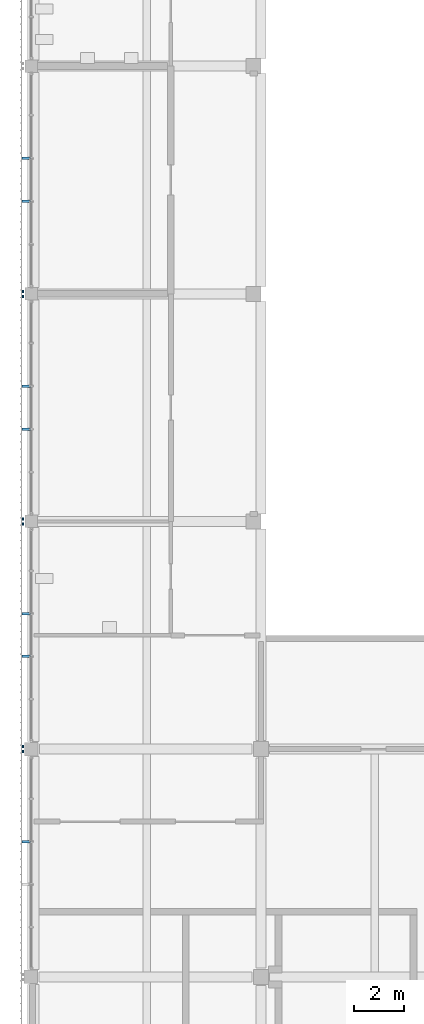
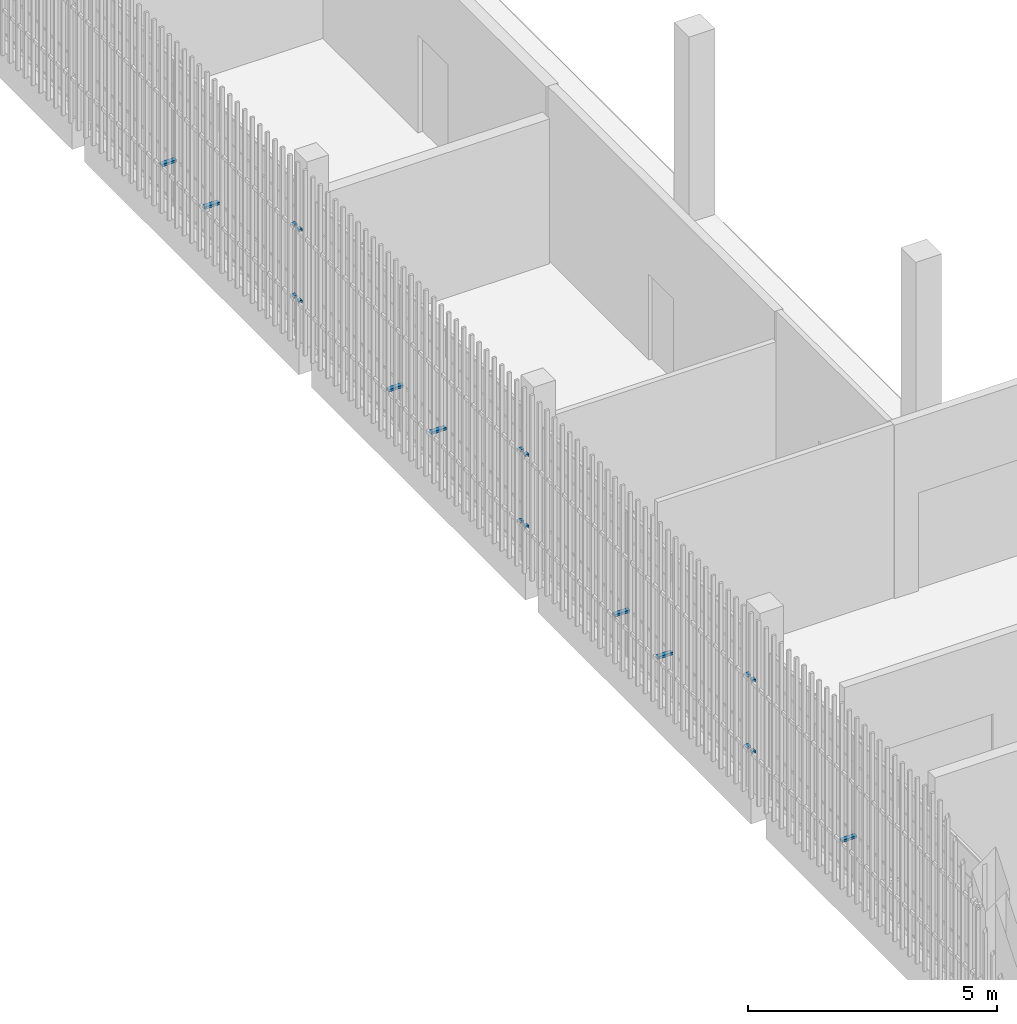
# One storey, part 90 of 124: 19 discrete accessories.
"""IFC4 building model written with IfcOpenShell, lengths in metres."""

from ifc_helpers import new_model, si_unit, direction, frame, origin, origin_2d, place, context, subcontext, project, spatial, rectangle, extrude, material, type_object, element, save


model = new_model("IFC4")

# Units and contexts
model_context = context("Model", 3, precision=1e-05, world=origin(), true_north=direction((0.0, 1.0)))
body_context = subcontext(model_context, "Body", "Model", "MODEL_VIEW")
ifc_project = project(units=[si_unit("LENGTHUNIT", "METRE"), si_unit("AREAUNIT", "SQUARE_METRE"), si_unit("VOLUMEUNIT", "CUBIC_METRE"), si_unit("PLANEANGLEUNIT", "RADIAN"), si_unit("MASSUNIT", "GRAM", prefix="KILO")], contexts=[model_context])

# Site, building, storey
site_placement = place(None, origin())
site = spatial("IfcSite", under=ifc_project, at=site_placement, CompositionType="ELEMENT")
building_placement = place(site_placement, origin())
building = spatial("IfcBuilding", under=site, at=building_placement, Name="Shirokan Park Arena", CompositionType="ELEMENT")
storey_placement = place(building_placement, frame((0.0, 0.0, 20.02001953125)))
storey = spatial("IfcBuildingStorey", under=building, at=storey_placement, Name="L04", CompositionType="ELEMENT", Elevation=20.02001953125)

# Discrete accessories
ifc_material = material(Name="Steel S355", Category="steel")
discrete_accessory_type = type_object("IfcDiscreteAccessoryType", Name="Veil bracket 100x60", PredefinedType="BRACKET", material=ifc_material)
for number, where, z_axis, x_axis, name in (
    (1, (-0.409912109375, 54.699951171875, 1.070068359375), (0.0, 0.0, 1.0), (0.0, -1.0, 0.0), "Veil bracket west bay 6 L04 2"),
    (2, (-0.409912109375, 54.699951171875, 2.820068359375), (0.0, 0.0, 1.0), (0.0, -1.0, 0.0), "Veil bracket west bay 6 L04 4"),
):
    element("IfcDiscreteAccessory", number, at=place(storey_placement, frame(where, z_axis=z_axis, x_axis=x_axis)), inside=storey, type_object=discrete_accessory_type, Name=name, PredefinedType="BRACKET", context=body_context, shape_type="SweptSolid", body=[
        extrude(rectangle(XDim=0.10009765625, YDim=0.070068359375, at=origin_2d()), origin(), (0.0, 0.0, 1.0), 0.06005859375),
    ])
for number, where, z_axis, x_axis, name in (
    (3, (-0.2724609375, 60.010009765625, 1.070068359375), (0.0, 0.0, 1.0), (0.0, -1.0, 0.0), "Veil bracket west bay 6 L04 wall 1"),
    (4, (-0.2724609375, 58.2900390625, 1.070068359375), (0.0, 0.0, 1.0), (0.0, -1.0, 0.0), "Veil bracket west bay 6 L04 wall 2"),
):
    element("IfcDiscreteAccessory", number, at=place(storey_placement, frame(where, z_axis=z_axis, x_axis=x_axis)), inside=storey, type_object=discrete_accessory_type, Name=name, PredefinedType="BRACKET", context=body_context, shape_type="SweptSolid", body=[
        extrude(rectangle(XDim=0.10009765625, YDim=0.344970703125, at=origin_2d()), origin(), (0.0, 0.0, 1.0), 0.06005859375),
    ])
for number, where, z_axis, x_axis, name in (
    (5, (-0.409912109375, 54.5, 1.070068359375), (0.0, 0.0, 1.0), (0.0, -1.0, 0.0), "Veil bracket west bay 7 L04 1"),
    (6, (-0.409912109375, 45.60009765625, 1.070068359375), (0.0, 0.0, 1.0), (0.0, -1.0, 0.0), "Veil bracket west bay 7 L04 2"),
    (7, (-0.409912109375, 54.5, 2.820068359375), (0.0, 0.0, 1.0), (0.0, -1.0, 0.0), "Veil bracket west bay 7 L04 3"),
    (8, (-0.409912109375, 45.60009765625, 2.820068359375), (0.0, 0.0, 1.0), (0.0, -1.0, 0.0), "Veil bracket west bay 7 L04 4"),
):
    element("IfcDiscreteAccessory", number, at=place(storey_placement, frame(where, z_axis=z_axis, x_axis=x_axis)), inside=storey, type_object=discrete_accessory_type, Name=name, PredefinedType="BRACKET", context=body_context, shape_type="SweptSolid", body=[
        extrude(rectangle(XDim=0.10009765625, YDim=0.070068359375, at=origin_2d()), origin(), (0.0, 0.0, 1.0), 0.06005859375),
    ])
for number, where, z_axis, x_axis, name in (
    (9, (-0.2724609375, 50.909912109375, 1.070068359375), (0.0, 0.0, 1.0), (0.0, -1.0, 0.0), "Veil bracket west bay 7 L04 wall 1"),
    (10, (-0.2724609375, 49.18994140625, 1.070068359375), (0.0, 0.0, 1.0), (0.0, -1.0, 0.0), "Veil bracket west bay 7 L04 wall 2"),
):
    element("IfcDiscreteAccessory", number, at=place(storey_placement, frame(where, z_axis=z_axis, x_axis=x_axis)), inside=storey, type_object=discrete_accessory_type, Name=name, PredefinedType="BRACKET", context=body_context, shape_type="SweptSolid", body=[
        extrude(rectangle(XDim=0.10009765625, YDim=0.344970703125, at=origin_2d()), origin(), (0.0, 0.0, 1.0), 0.06005859375),
    ])
for number, where, z_axis, x_axis, name in (
    (11, (-0.409912109375, 45.39990234375, 1.070068359375), (0.0, 0.0, 1.0), (0.0, -1.0, 0.0), "Veil bracket west bay 8 L04 1"),
    (12, (-0.409912109375, 36.5, 1.070068359375), (0.0, 0.0, 1.0), (0.0, -1.0, 0.0), "Veil bracket west bay 8 L04 2"),
    (13, (-0.409912109375, 45.39990234375, 2.820068359375), (0.0, 0.0, 1.0), (0.0, -1.0, 0.0), "Veil bracket west bay 8 L04 3"),
    (14, (-0.409912109375, 36.5, 2.820068359375), (0.0, 0.0, 1.0), (0.0, -1.0, 0.0), "Veil bracket west bay 8 L04 4"),
):
    element("IfcDiscreteAccessory", number, at=place(storey_placement, frame(where, z_axis=z_axis, x_axis=x_axis)), inside=storey, type_object=discrete_accessory_type, Name=name, PredefinedType="BRACKET", context=body_context, shape_type="SweptSolid", body=[
        extrude(rectangle(XDim=0.10009765625, YDim=0.070068359375, at=origin_2d()), origin(), (0.0, 0.0, 1.0), 0.06005859375),
    ])
for number, where, z_axis, x_axis, name in (
    (15, (-0.2724609375, 41.820068359375, 1.070068359375), (0.0, 0.0, 1.0), (0.0, -1.0, 0.0), "Veil bracket west bay 8 L04 wall 1"),
    (16, (-0.2724609375, 40.10498046875, 1.070068359375), (0.0, 0.0, 1.0), (0.0, -1.0, 0.0), "Veil bracket west bay 8 L04 wall 2"),
):
    element("IfcDiscreteAccessory", number, at=place(storey_placement, frame(where, z_axis=z_axis, x_axis=x_axis)), inside=storey, type_object=discrete_accessory_type, Name=name, PredefinedType="BRACKET", context=body_context, shape_type="SweptSolid", body=[
        extrude(rectangle(XDim=0.10009765625, YDim=0.344970703125, at=origin_2d()), origin(), (0.0, 0.0, 1.0), 0.06005859375),
    ])
for number, where, z_axis, x_axis, name in (
    (17, (-0.409912109375, 36.300048828125, 1.070068359375), (0.0, 0.0, 1.0), (0.0, -1.0, 0.0), "Veil bracket west bay 9 L04 1"),
    (18, (-0.409912109375, 36.300048828125, 2.820068359375), (0.0, 0.0, 1.0), (0.0, -1.0, 0.0), "Veil bracket west bay 9 L04 3"),
):
    element("IfcDiscreteAccessory", number, at=place(storey_placement, frame(where, z_axis=z_axis, x_axis=x_axis)), inside=storey, type_object=discrete_accessory_type, Name=name, PredefinedType="BRACKET", context=body_context, shape_type="SweptSolid", body=[
        extrude(rectangle(XDim=0.10009765625, YDim=0.070068359375, at=origin_2d()), origin(), (0.0, 0.0, 1.0), 0.06005859375),
    ])
discrete_accessory_placement = place(storey_placement, frame((-0.2724609375, 32.705078125, 1.070068359375), z_axis=(0.0, 0.0, 1.0), x_axis=(0.0, -1.0, 0.0)))
element("IfcDiscreteAccessory", 19, at=discrete_accessory_placement, inside=storey, type_object=discrete_accessory_type, Name="Veil bracket west bay 9 L04 wall 1", PredefinedType="BRACKET", context=body_context, shape_type="SweptSolid", body=[
    extrude(rectangle(XDim=0.10009765625, YDim=0.344970703125, at=origin_2d()), origin(), (0.0, 0.0, 1.0), 0.06005859375),
])

save(model, "model.ifc")
